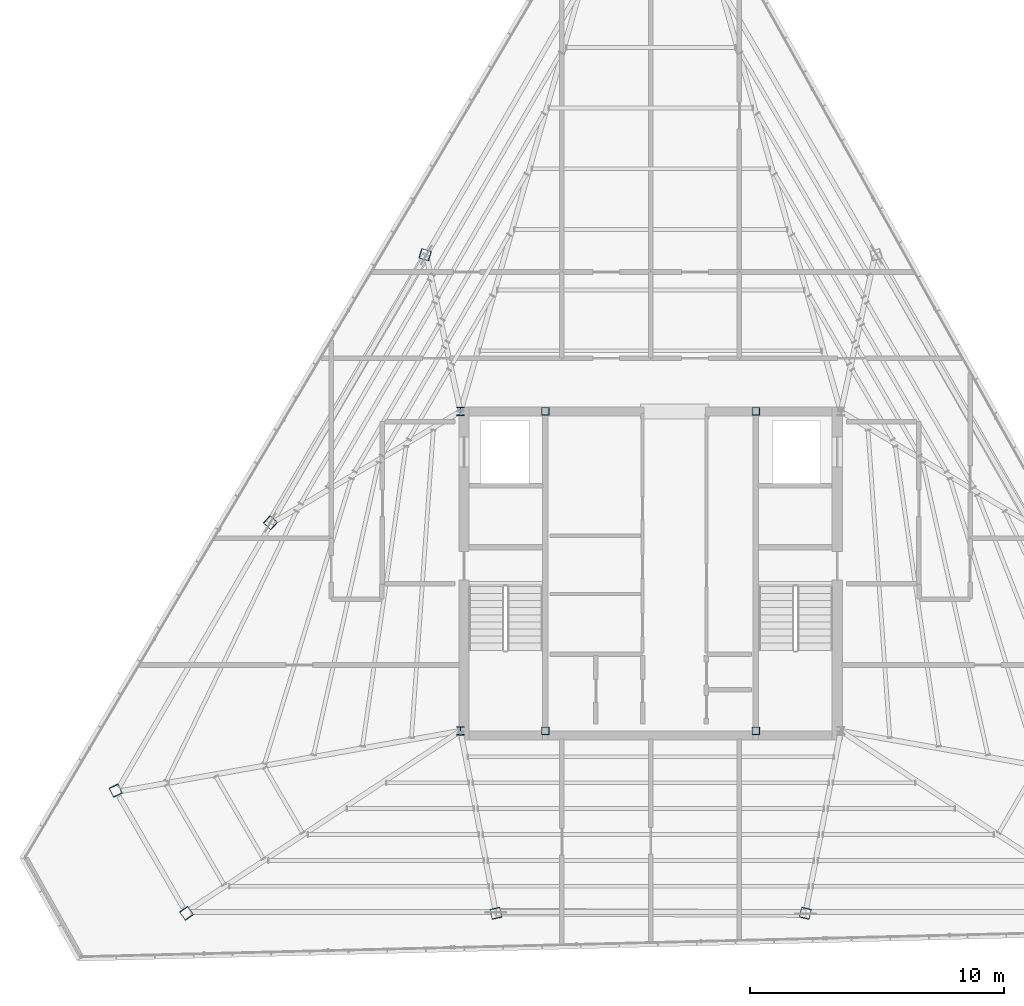
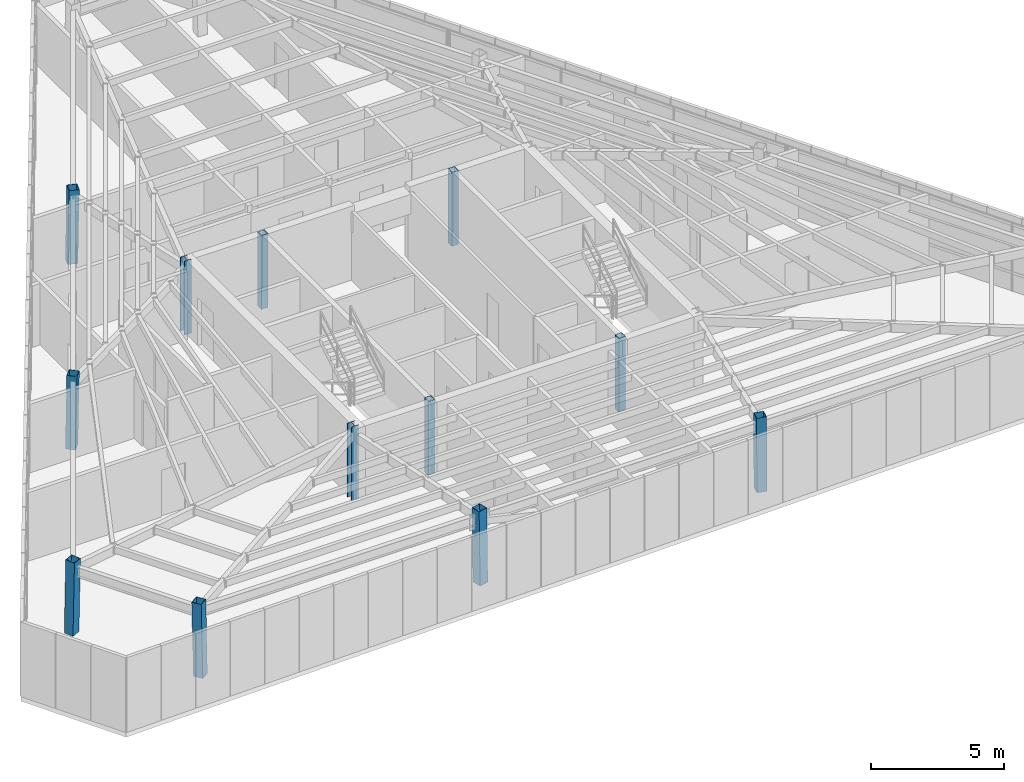
# One storey, part 1 of 48: 12 columns.
"""IFC4 building model written with IfcOpenShell, lengths in metres."""

from ifc_helpers import new_model, si_unit, direction, frame, origin, origin_2d, place, context, subcontext, project, spatial, hollow_rectangle, i_section, extrude, source, transform, mapped, material, material_profile, profile_set, type_object, type_shapes, element, save


model = new_model("IFC4")

# Units and contexts
model_context = context("Model", 3, precision=1e-05, world=origin(), true_north=direction((0.0, 1.0)))
body_context = subcontext(model_context, "Body", "Model", "MODEL_VIEW")
ifc_project = project(units=[si_unit("LENGTHUNIT", "METRE"), si_unit("AREAUNIT", "SQUARE_METRE"), si_unit("VOLUMEUNIT", "CUBIC_METRE"), si_unit("PLANEANGLEUNIT", "RADIAN"), si_unit("MASSUNIT", "GRAM", prefix="KILO")], contexts=[model_context])

# Site, building, storey
site_placement = place(None, origin())
site = spatial("IfcSite", under=ifc_project, at=site_placement, CompositionType="ELEMENT")
building_placement = place(site_placement, origin())
building = spatial("IfcBuilding", under=site, at=building_placement, Name="Caelisora Broadcast Tower", CompositionType="ELEMENT")
storey_placement = place(building_placement, frame((0.0, 0.0, 300.0)))
storey = spatial("IfcBuildingStorey", under=building, at=storey_placement, Name="L79", CompositionType="ELEMENT", Elevation=300.0)

# Columns
ifc_material_1 = material(Name="Steel Grade 350 (AS/NZS 3679.1)", Category="steel")
ifc_material_profile_1 = material_profile(ifc_material_1, i_section(OverallWidth=0.31103515625, OverallDepth=0.3271484375, WebThickness=0.015625, FlangeThickness=0.02490234375, at=origin_2d()), Name="Steel Grade 350 (AS/NZS 3679.1)")
ifc_profile_set_1 = profile_set([ifc_material_profile_1], Name="Steel Grade 350 (AS/NZS 3679.1)")
column_type_1 = type_object("IfcColumnType", Name="CC03", PredefinedType="COLUMN", material=ifc_profile_set_1)
shared_shape_1 = source(origin(), body_context, "Body", "SweptSolid", [
    extrude(i_section(OverallWidth=0.31103515625, OverallDepth=0.3271484375, WebThickness=0.015625, FlangeThickness=0.02490234375, at=origin_2d()), origin(), (0.0, 0.0, 1.0), 3.39990234375),
])
type_shapes(column_type_1, [shared_shape_1])
for number, where, z_axis, x_axis, name in (
    (1, (30.5, 17.39990234375, 0.0), (0.0, 0.0, 1.0), (1.0, 0.0, 0.0), "L79 column CC03"),
    (2, (30.5, 30.0, 0.0), (0.0, 0.0, 1.0), (1.0, 0.0, 0.0), "L79 column CC03"),
):
    element("IfcColumn", number, at=place(storey_placement, frame(where, z_axis=z_axis, x_axis=x_axis)), inside=storey, type_object=column_type_1, Name=name, PredefinedType="COLUMN", context=body_context, shape_type="MappedRepresentation", body=[
        mapped(shared_shape_1, transform((0.0, 0.0, 0.0), scale=1.0)),
    ])
ifc_material_2 = material(Name="Steel Grade 350 (AS/NZS 1163 C350L0)", Category="steel")
ifc_material_profile_2 = material_profile(ifc_material_2, hollow_rectangle(XDim=0.300048828125, YDim=0.300048828125, WallThickness=0.012451171875, at=origin_2d()), Name="Steel Grade 350 (AS/NZS 1163 C350L0)")
ifc_profile_set_2 = profile_set([ifc_material_profile_2], Name="Steel Grade 350 (AS/NZS 1163 C350L0)")
column_type_2 = type_object("IfcColumnType", Name="CC08", PredefinedType="COLUMN", material=ifc_profile_set_2)
shared_shape_2 = source(origin(), body_context, "Body", "SweptSolid", [
    extrude(hollow_rectangle(XDim=0.300048828125, YDim=0.300048828125, WallThickness=0.012451171875, at=origin_2d()), origin(), (0.0, 0.0, 1.0), 3.39990234375),
])
type_shapes(column_type_2, [shared_shape_2])
for number, where, z_axis, x_axis, name in (
    (3, (33.85009765625, 17.39990234375, 0.0), (0.0, 0.0, 1.0), (1.0, 0.0, 0.0), "L79 column CC08"),
    (4, (42.14990234375, 17.39990234375, 0.0), (0.0, 0.0, 1.0), (1.0, 0.0, 0.0), "L79 column CC08"),
    (5, (33.85009765625, 30.0, 0.0), (0.0, 0.0, 1.0), (1.0, 0.0, 0.0), "L79 column CC08"),
    (6, (42.14990234375, 30.0, 0.0), (0.0, 0.0, 1.0), (1.0, 0.0, 0.0), "L79 column CC08"),
):
    element("IfcColumn", number, at=place(storey_placement, frame(where, z_axis=z_axis, x_axis=x_axis)), inside=storey, type_object=column_type_2, Name=name, PredefinedType="COLUMN", context=body_context, shape_type="MappedRepresentation", body=[
        mapped(shared_shape_2, transform((0.0, 0.0, 0.0), scale=1.0)),
    ])
ifc_material_profile_3 = material_profile(ifc_material_2, hollow_rectangle(XDim=0.39990234375, YDim=0.39990234375, WallThickness=0.01611328125, at=origin_2d()), Name="Steel Grade 350 (AS/NZS 1163 C350L0)")
ifc_profile_set_3 = profile_set([ifc_material_profile_3], Name="Steel Grade 350 (AS/NZS 1163 C350L0)")
column_type_3 = type_object("IfcColumnType", Name="MC08", PredefinedType="COLUMN", material=ifc_profile_set_3)
shared_shape_3 = source(origin(), body_context, "Body", "SweptSolid", [
    extrude(hollow_rectangle(XDim=0.39990234375, YDim=0.39990234375, WallThickness=0.01611328125, at=origin_2d()), origin(), (0.0, 0.0, 1.0), 3.39599609375),
])
for number, where, z_axis, x_axis, name in (
    (7, (16.89453125, 15.052978515625, 0.0), (0.008411447818, -0.017469930083, 0.999812006874), (0.901001669759, 0.433815618773, 0.0), "L79 column MC08"),
    (8, (19.698974609375, 10.195556640625, 0.0), (-0.010927690209, 0.01603207182, 0.999811761413), (-0.826305728464, -0.563221841823, 0.0), "L79 column MC08"),
):
    element("IfcColumn", number, at=place(storey_placement, frame(where, z_axis=z_axis, x_axis=x_axis)), inside=storey, type_object=column_type_3, Name=name, PredefinedType="COLUMN", context=body_context, shape_type="MappedRepresentation", body=[
        mapped(shared_shape_3, transform((0.0, 0.0, 0.0), scale=1.0)),
    ])
shared_shape_4 = source(origin(), body_context, "Body", "SweptSolid", [
    extrude(hollow_rectangle(XDim=0.39990234375, YDim=0.39990234375, WallThickness=0.01611328125, at=origin_2d()), origin(), (0.0, 0.0, 1.0), 3.395751953125),
])
type_shapes(column_type_3, [shared_shape_3, shared_shape_4])
for number, where, z_axis, x_axis, name in (
    (9, (29.09521484375, 36.185302734375, 0.0), (0.015673446185, -0.004888964865, 0.99986521147), (0.29777626912, 0.954635686296, 0.0), "L79 column MC08"),
    (10, (22.994873046875, 25.619140625, 0.0), (0.012078615926, -0.011143961122, 0.999864950465), (0.678098379863, 0.734971147207, 0.0), "L79 column MC08"),
    (11, (31.899658203125, 10.195556640625, 0.0), (-0.003666721924, 0.016032921354, 0.999864741144), (-0.974831368602, -0.222943496855, 0.0), "L79 column MC08"),
    (12, (44.100341796875, 10.195556640625, 0.0), (0.003666721924, 0.016032921354, 0.999864741144), (-0.974831368602, 0.222943496855, 0.0), "L79 column MC08"),
):
    element("IfcColumn", number, at=place(storey_placement, frame(where, z_axis=z_axis, x_axis=x_axis)), inside=storey, type_object=column_type_3, Name=name, PredefinedType="COLUMN", context=body_context, shape_type="MappedRepresentation", body=[
        mapped(shared_shape_4, transform((0.0, 0.0, 0.0), scale=1.0)),
    ])

save(model, "model.ifc")
